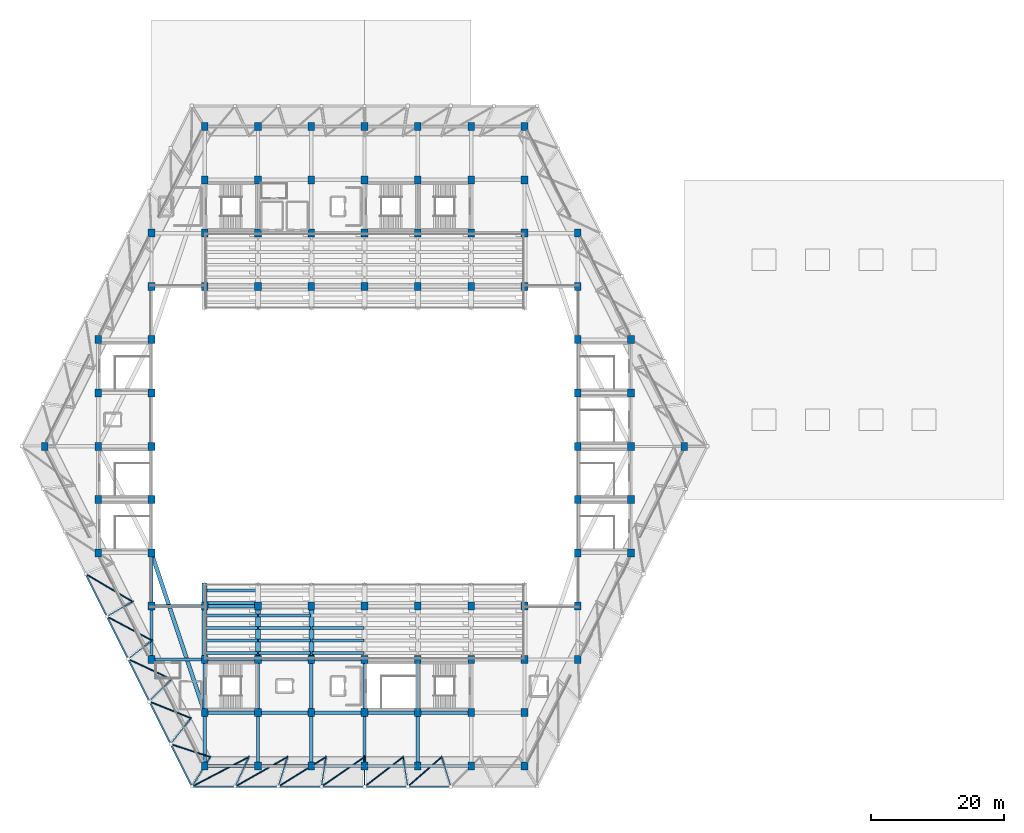
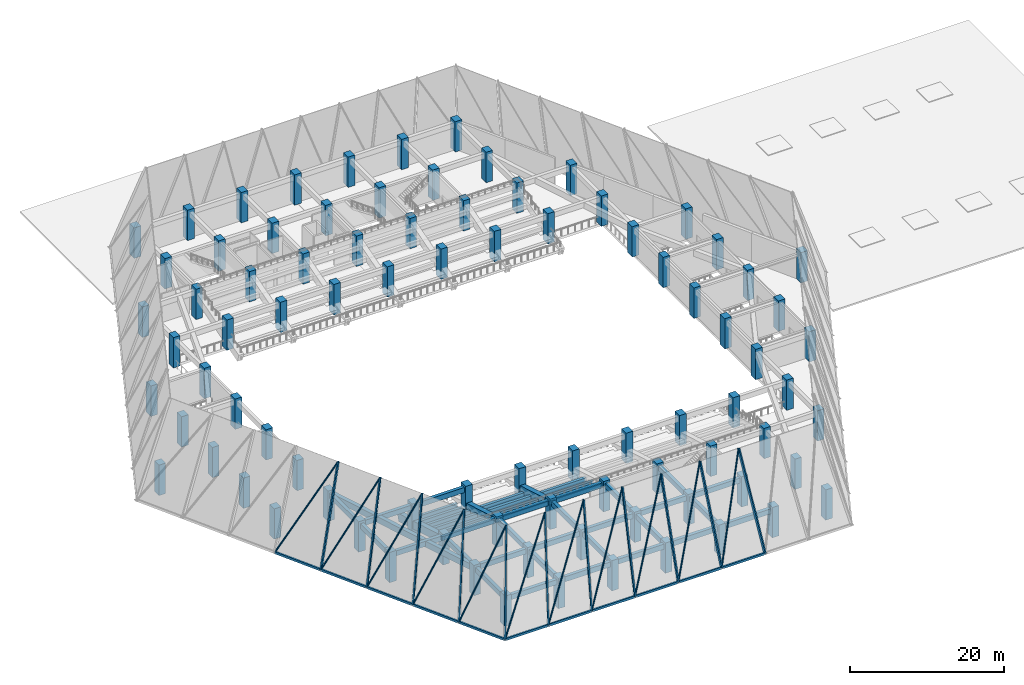
# One storey, part 1 of 24: 86 columns, 46 beams, 33 members.
"""IFC4 building model written with IfcOpenShell, lengths in metres."""

import ifcopenshell
import ifcopenshell.guid

model = None  # the IFC model being written
_history = None  # IfcOwnerHistory: only IFC2X3 demands one
_inside = {}  # id of a spatial element -> (the spatial element, [elements in it])
_under = {}  # id of a project, library or spatial element -> (it, [spatial elements below it])
_declared = {}  # id of a project -> (the project, [libraries it declares])
_typed = {}  # id of a type object -> (the type object, [elements of that type])
_made_of = {}  # id of a material, layer set ... -> (it, [elements and type objects made of it])


def new_model(schema):
    """Start an empty IFC model of exactly this schema.

    Asked for "IFC4X3", IfcOpenShell would pick the latest addendum, in which some entities
    have other attributes; the version numbers below select the first issue.
    IFC2X3 requires an IfcOwnerHistory on every rooted entity: one is made here for all.
    """
    global model, _history
    if schema == "IFC4X3":
        model = ifcopenshell.file(schema_version=(4, 3, 0, 0))
    else:
        model = ifcopenshell.file(schema=schema)
    _inside.clear()
    _under.clear()
    _declared.clear()
    _typed.clear()
    _made_of.clear()
    _history = None
    if model.schema == "IFC2X3":
        org = make("IfcOrganization", Name="unknown")
        user = make(
            "IfcPersonAndOrganization",
            ThePerson=make("IfcPerson", FamilyName="unknown"),
            TheOrganization=org,
        )
        app = make(
            "IfcApplication",
            ApplicationDeveloper=org,
            Version="unknown",
            ApplicationFullName="unknown",
            ApplicationIdentifier="unknown",
        )
        _history = make(
            "IfcOwnerHistory",
            OwningUser=user,
            OwningApplication=app,
            ChangeAction="ADDED",
            CreationDate=0,
        )
    return model


def make(cls, **values):
    """One entity of the class cls with the attributes given. An attribute that is None is left unset."""
    return model.create_entity(
        cls, **{name: value for name, value in values.items() if value is not None}
    )


def rooted(cls, **values):
    """An entity with a GlobalId (a new one), such as an element, a storey or a relation."""
    return make(cls, GlobalId=ifcopenshell.guid.new(), OwnerHistory=_history, **values)


def si_unit(unit_type, name, prefix=None):
    """IfcSIUnit, for example si_unit("LENGTHUNIT", "METRE", prefix="MILLI")."""
    return make("IfcSIUnit", UnitType=unit_type, Prefix=prefix, Name=name)


def assignment(units):
    """IfcUnitAssignment: the units of a project."""
    return None if units is None else make("IfcUnitAssignment", Units=units)


def point(xyz):
    """IfcCartesianPoint."""
    return None if xyz is None else make("IfcCartesianPoint", Coordinates=xyz)


def direction(xyz):
    """IfcDirection."""
    return None if xyz is None else make("IfcDirection", DirectionRatios=xyz)


def frame(location, z_axis=None, x_axis=None):
    """IfcAxis2Placement3D, a coordinate frame: its origin and axes. An axis left out is left unset."""
    return make(
        "IfcAxis2Placement3D",
        Location=point(location),
        Axis=direction(z_axis),
        RefDirection=direction(x_axis),
    )


def frame_2d(location, x_axis=None):
    """IfcAxis2Placement2D, a coordinate frame in the plane: its origin and x axis."""
    return make(
        "IfcAxis2Placement2D", Location=point(location), RefDirection=direction(x_axis)
    )


def origin():
    """The frame at (0, 0, 0) with its axes left unset."""
    return frame((0.0, 0.0, 0.0))


def origin_2d():
    """The frame at (0, 0) in the plane with its x axis left unset."""
    return frame_2d((0.0, 0.0))


def place(relative_to, where):
    """IfcLocalPlacement: puts the frame where relative to a parent placement (None: the world)."""
    return make(
        "IfcLocalPlacement", PlacementRelTo=relative_to, RelativePlacement=where
    )


def context(
    kind, dimensions, precision=None, world=None, true_north=None, identifier=None
):
    """IfcGeometricRepresentationContext, for example the 3D "Model" context."""
    return make(
        "IfcGeometricRepresentationContext",
        ContextIdentifier=identifier,
        ContextType=kind,
        CoordinateSpaceDimension=dimensions,
        Precision=precision,
        WorldCoordinateSystem=world,
        TrueNorth=true_north,
    )


def subcontext(parent, identifier, kind, view, scale=None):
    """IfcGeometricRepresentationSubContext, for example "Body" below "Model"."""
    return make(
        "IfcGeometricRepresentationSubContext",
        ContextIdentifier=identifier,
        ContextType=kind,
        ParentContext=parent,
        TargetScale=scale,
        TargetView=view,
    )


def project(units=None, contexts=None):
    """IfcProject with its units and contexts."""
    return rooted(
        "IfcProject",
        Name="project",
        RepresentationContexts=contexts,
        UnitsInContext=assignment(units),
    )


def spatial(cls, under=None, at=None, **own):
    """A site, building, storey or space (cls), placed at a placement, below another one or the project."""
    s = rooted(cls, ObjectPlacement=at, **own)
    if under is not None:
        _under.setdefault(under.id(), (under, []))[1].append(s)
    return s


def profile(cls, at=None, kind="AREA", **sizes):
    """A parametric profile (cls). Its sizes go by their IFC names, for example OverallWidth=200.0."""
    return make(cls, ProfileType=kind, Position=at, **sizes)


def rectangle(**sizes):
    """IfcRectangleProfileDef."""
    return profile("IfcRectangleProfileDef", **sizes)


def hollow_rectangle(**sizes):
    """IfcRectangleHollowProfileDef."""
    return profile("IfcRectangleHollowProfileDef", **sizes)


def hollow_circle(**sizes):
    """IfcCircleHollowProfileDef."""
    return profile("IfcCircleHollowProfileDef", **sizes)


def extrude(swept, where, along, depth):
    """IfcExtrudedAreaSolid: the profile swept, set in the frame where, extruded along a direction by depth."""
    return make(
        "IfcExtrudedAreaSolid",
        SweptArea=swept,
        Position=where,
        ExtrudedDirection=direction(along),
        Depth=depth,
    )


def shape(context_of_items, identifier, shape_type, items):
    """IfcShapeRepresentation: the items that make up one representation, for example the "Body"."""
    return make(
        "IfcShapeRepresentation",
        ContextOfItems=context_of_items,
        RepresentationIdentifier=identifier,
        RepresentationType=shape_type,
        Items=items,
    )


def material(Name=None, Category=None):
    """IfcMaterial."""
    return make("IfcMaterial", Name=Name, Category=Category)


def material_profile(
    of_material, cross_section, Name=None, Category=None, Priority=None
):
    """IfcMaterialProfile: a cross section and its material."""
    return make(
        "IfcMaterialProfile",
        Name=Name,
        Material=of_material,
        Profile=cross_section,
        Priority=Priority,
        Category=Category,
    )


def profile_set(profiles, Name=None, composite=None):
    """IfcMaterialProfileSet."""
    return make(
        "IfcMaterialProfileSet",
        Name=Name,
        MaterialProfiles=profiles,
        CompositeProfile=composite,
    )


def made_of(thing, what):
    """Note that an element or type object is made of a material, layer set ...; save() writes the relation."""
    if what is not None:
        _made_of.setdefault(what.id(), (what, []))[1].append(thing)
    return thing


def type_object(cls, material=None, **own):
    """A type object (cls), such as IfcWallType, which elements share."""
    return made_of(rooted(cls, **own), material)


def element(
    cls,
    number,
    at=None,
    inside=None,
    cuts=None,
    type_object=None,
    material=None,
    context=None,
    identifier="Body",
    shape_type=None,
    held_by="IfcProductDefinitionShape",
    body=None,
    shapes=None,
    **own,
):
    """One element of the class cls, such as IfcWall. Its Tag is "e" and its number.

    at: its placement. inside: the storey or other place that contains it. cuts: it is an
    opening in that element (IfcRelVoidsElement). A single representation is given by context,
    identifier, shape_type and body (its items); several are given by shapes. held_by: the class
    of the entity that holds the representations. save() writes the other relations.
    """
    e = rooted(cls, Tag="e%d" % number, ObjectPlacement=at, **own)
    if body is not None:
        shapes = [shape(context, identifier, shape_type, body)]
    if shapes is not None:
        e.Representation = make(held_by, Representations=shapes)
    if inside is not None:
        _inside.setdefault(inside.id(), (inside, []))[1].append(e)
    if cuts is not None:
        rooted(
            "IfcRelVoidsElement", RelatingBuildingElement=cuts, RelatedOpeningElement=e
        )
    if type_object is not None:
        _typed.setdefault(type_object.id(), (type_object, []))[1].append(e)
    return made_of(e, material)


def aggregate(whole, parts):
    """IfcRelAggregates: a whole, such as a stair, and the parts it consists of."""
    return rooted("IfcRelAggregates", RelatingObject=whole, RelatedObjects=parts)


def save(model, path):
    """Write the relations noted so far, then the file.

    IfcRelAggregates (storeys below a building ...), IfcRelContainedInSpatialStructure (elements
    in a storey), IfcRelDefinesByType, IfcRelAssociatesMaterial and IfcRelDeclares: one each for
    every whole, place, type object, material and project.
    """
    for whole, parts in _under.values():
        aggregate(whole, parts)
    for where, things in _inside.values():
        rooted(
            "IfcRelContainedInSpatialStructure",
            RelatedElements=things,
            RelatingStructure=where,
        )
    for kind, things in _typed.values():
        rooted("IfcRelDefinesByType", RelatedObjects=things, RelatingType=kind)
    for what, things in _made_of.values():
        rooted("IfcRelAssociatesMaterial", RelatedObjects=things, RelatingMaterial=what)
    for by, libraries in _declared.values():
        rooted("IfcRelDeclares", RelatingContext=by, RelatedDefinitions=libraries)
    model.write(path)


model = new_model("IFC4")

# Units and contexts
model_context = context("Model", 3, precision=1e-05, world=origin(), true_north=direction((0.0, 1.0)))
body_context = subcontext(model_context, "Body", "Model", "MODEL_VIEW")
ifc_project = project(units=[si_unit("LENGTHUNIT", "METRE"), si_unit("AREAUNIT", "SQUARE_METRE"), si_unit("VOLUMEUNIT", "CUBIC_METRE"), si_unit("PLANEANGLEUNIT", "RADIAN"), si_unit("MASSUNIT", "GRAM", prefix="KILO")], contexts=[model_context])

# Site, building, storey
site_placement = place(None, origin())
site = spatial("IfcSite", under=ifc_project, at=site_placement, CompositionType="ELEMENT")
building_placement = place(site_placement, origin())
building = spatial("IfcBuilding", under=site, at=building_placement, Name="Tazarka Park Arena", CompositionType="ELEMENT")
storey_placement = place(building_placement, frame((0.0, 0.0, 15.0)))
storey = spatial("IfcBuildingStorey", under=building, at=storey_placement, Name="L03", CompositionType="ELEMENT", Elevation=15.0)

# Columns
ifc_material_1 = material(Name="Concrete C50/60", Category="concrete")
ifc_material_profile_1 = material_profile(ifc_material_1, rectangle(XDim=1.0, YDim=1.199951171875, at=origin_2d()), Name="Concrete C50/60")
ifc_profile_set_1 = profile_set([ifc_material_profile_1], Name="Concrete C50/60")
column_type_1 = type_object("IfcColumnType", Name="COL-C-04", PredefinedType="COLUMN", material=ifc_profile_set_1)
for number, where, z_axis, x_axis, name in (
    (1, (48.0, 64.0, 0.0), (0.0, 0.0, 1.0), (1.0, 0.0, 0.0), "CLM-L03-06-08"),
    (2, (64.0, 32.0, 0.0), (0.0, 0.0, 1.0), (1.0, 0.0, 0.0), "CLM-L03-08-04"),
    (3, (64.0, 96.0, 0.0), (0.0, 0.0, 1.0), (1.0, 0.0, 0.0), "CLM-L03-08-12"),
    (4, (72.0, 24.0, 0.0), (0.0, 0.0, 1.0), (1.0, 0.0, 0.0), "CLM-L03-09-03"),
    (5, (72.0, 32.0, 0.0), (0.0, 0.0, 1.0), (1.0, 0.0, 0.0), "CLM-L03-09-04"),
    (6, (72.0, 96.0, 0.0), (0.0, 0.0, 1.0), (1.0, 0.0, 0.0), "CLM-L03-09-12"),
    (7, (72.0, 104.0, 0.0), (0.0, 0.0, 1.0), (1.0, 0.0, 0.0), "CLM-L03-09-13"),
    (8, (80.0, 24.0, 0.0), (0.0, 0.0, 1.0), (1.0, 0.0, 0.0), "CLM-L03-10-03"),
    (9, (80.0, 32.0, 0.0), (0.0, 0.0, 1.0), (1.0, 0.0, 0.0), "CLM-L03-10-04"),
    (10, (80.0, 96.0, 0.0), (0.0, 0.0, 1.0), (1.0, 0.0, 0.0), "CLM-L03-10-12"),
    (11, (80.0, 104.0, 0.0), (0.0, 0.0, 1.0), (1.0, 0.0, 0.0), "CLM-L03-10-13"),
    (12, (88.0, 24.0, 0.0), (0.0, 0.0, 1.0), (1.0, 0.0, 0.0), "CLM-L03-11-03"),
    (13, (88.0, 32.0, 0.0), (0.0, 0.0, 1.0), (1.0, 0.0, 0.0), "CLM-L03-11-04"),
    (14, (88.0, 96.0, 0.0), (0.0, 0.0, 1.0), (1.0, 0.0, 0.0), "CLM-L03-11-12"),
    (15, (88.0, 104.0, 0.0), (0.0, 0.0, 1.0), (1.0, 0.0, 0.0), "CLM-L03-11-13"),
    (16, (96.0, 24.0, 0.0), (0.0, 0.0, 1.0), (1.0, 0.0, 0.0), "CLM-L03-12-03"),
    (17, (96.0, 32.0, 0.0), (0.0, 0.0, 1.0), (1.0, 0.0, 0.0), "CLM-L03-12-04"),
    (18, (96.0, 96.0, 0.0), (0.0, 0.0, 1.0), (1.0, 0.0, 0.0), "CLM-L03-12-12"),
    (19, (96.0, 104.0, 0.0), (0.0, 0.0, 1.0), (1.0, 0.0, 0.0), "CLM-L03-12-13"),
    (20, (104.0, 24.0, 0.0), (0.0, 0.0, 1.0), (1.0, 0.0, 0.0), "CLM-L03-13-03"),
    (21, (104.0, 32.0, 0.0), (0.0, 0.0, 1.0), (1.0, 0.0, 0.0), "CLM-L03-13-04"),
    (22, (104.0, 96.0, 0.0), (0.0, 0.0, 1.0), (1.0, 0.0, 0.0), "CLM-L03-13-12"),
    (23, (104.0, 104.0, 0.0), (0.0, 0.0, 1.0), (1.0, 0.0, 0.0), "CLM-L03-13-13"),
    (24, (112.0, 32.0, 0.0), (0.0, 0.0, 1.0), (1.0, 0.0, 0.0), "CLM-L03-14-04"),
    (25, (112.0, 96.0, 0.0), (0.0, 0.0, 1.0), (1.0, 0.0, 0.0), "CLM-L03-14-12"),
    (26, (128.0, 64.0, 0.0), (0.0, 0.0, 1.0), (1.0, 0.0, 0.0), "CLM-L03-16-08"),
):
    element("IfcColumn", number, at=place(storey_placement, frame(where, z_axis=z_axis, x_axis=x_axis)), inside=storey, type_object=column_type_1, Name=name, PredefinedType="COLUMN", context=body_context, shape_type="SweptSolid", body=[
        extrude(rectangle(XDim=1.0, YDim=1.199951171875, at=origin_2d()), origin(), (0.0, 0.0, 1.0), 4.800048828125),
    ])
ifc_material_2 = material(Name="Concrete C50/60", Category="concrete")
ifc_material_profile_2 = material_profile(ifc_material_2, rectangle(XDim=1.0, YDim=1.199951171875, at=origin_2d()), Name="Concrete C50/60")
ifc_profile_set_2 = profile_set([ifc_material_profile_2], Name="Concrete C50/60")
column_type_2 = type_object("IfcColumnType", Name="COL-C-07", PredefinedType="COLUMN", material=ifc_profile_set_2)
for number, where, z_axis, x_axis, name in (
    (27, (40.0, 64.0, 0.0), (0.0, 0.0, 1.0), (1.0, 0.0, 0.0), "CLM-L03-05-08"),
    (28, (48.0, 48.0, 0.0), (0.0, 0.0, 1.0), (1.0, 0.0, 0.0), "CLM-L03-06-06"),
    (29, (48.0, 56.0, 0.0), (0.0, 0.0, 1.0), (1.0, 0.0, 0.0), "CLM-L03-06-07"),
    (30, (48.0, 72.0, 0.0), (0.0, 0.0, 1.0), (1.0, 0.0, 0.0), "CLM-L03-06-09"),
    (31, (48.0, 80.0, 0.0), (0.0, 0.0, 1.0), (1.0, 0.0, 0.0), "CLM-L03-06-10"),
    (32, (56.0, 32.0, 0.0), (0.0, 0.0, 1.0), (1.0, 0.0, 0.0), "CLM-L03-07-04"),
    (33, (56.0, 40.0, 0.0), (0.0, 0.0, 1.0), (1.0, 0.0, 0.0), "CLM-L03-07-05"),
    (34, (56.0, 48.0, 0.0), (0.0, 0.0, 1.0), (1.0, 0.0, 0.0), "CLM-L03-07-06"),
    (35, (56.0, 56.0, 0.0), (0.0, 0.0, 1.0), (1.0, 0.0, 0.0), "CLM-L03-07-07"),
    (36, (56.0, 64.0, 0.0), (0.0, 0.0, 1.0), (1.0, 0.0, 0.0), "CLM-L03-07-08"),
    (37, (56.0, 72.0, 0.0), (0.0, 0.0, 1.0), (1.0, 0.0, 0.0), "CLM-L03-07-09"),
    (38, (56.0, 80.0, 0.0), (0.0, 0.0, 1.0), (1.0, 0.0, 0.0), "CLM-L03-07-10"),
    (39, (56.0, 88.0, 0.0), (0.0, 0.0, 1.0), (1.0, 0.0, 0.0), "CLM-L03-07-11"),
    (40, (56.0, 96.0, 0.0), (0.0, 0.0, 1.0), (1.0, 0.0, 0.0), "CLM-L03-07-12"),
    (41, (64.0, 16.0, 0.0), (0.0, 0.0, 1.0), (1.0, 0.0, 0.0), "CLM-L03-08-02"),
    (42, (64.0, 24.0, 0.0), (0.0, 0.0, 1.0), (1.0, 0.0, 0.0), "CLM-L03-08-03"),
    (43, (64.0, 40.0, 0.0), (0.0, 0.0, 1.0), (1.0, 0.0, 0.0), "CLM-L03-08-05"),
    (44, (64.0, 88.0, 0.0), (0.0, 0.0, 1.0), (1.0, 0.0, 0.0), "CLM-L03-08-11"),
    (45, (64.0, 104.0, 0.0), (0.0, 0.0, 1.0), (1.0, 0.0, 0.0), "CLM-L03-08-13"),
    (46, (64.0, 112.0, 0.0), (0.0, 0.0, 1.0), (1.0, 0.0, 0.0), "CLM-L03-08-14"),
    (47, (72.0, 16.0, 0.0), (0.0, 0.0, 1.0), (1.0, 0.0, 0.0), "CLM-L03-09-02"),
    (48, (72.0, 40.0, 0.0), (0.0, 0.0, 1.0), (1.0, 0.0, 0.0), "CLM-L03-09-05"),
    (49, (72.0, 88.0, 0.0), (0.0, 0.0, 1.0), (1.0, 0.0, 0.0), "CLM-L03-09-11"),
    (50, (72.0, 112.0, 0.0), (0.0, 0.0, 1.0), (1.0, 0.0, 0.0), "CLM-L03-09-14"),
    (51, (80.0, 16.0, 0.0), (0.0, 0.0, 1.0), (1.0, 0.0, 0.0), "CLM-L03-10-02"),
    (52, (80.0, 40.0, 0.0), (0.0, 0.0, 1.0), (1.0, 0.0, 0.0), "CLM-L03-10-05"),
    (53, (80.0, 88.0, 0.0), (0.0, 0.0, 1.0), (1.0, 0.0, 0.0), "CLM-L03-10-11"),
    (54, (80.0, 112.0, 0.0), (0.0, 0.0, 1.0), (1.0, 0.0, 0.0), "CLM-L03-10-14"),
    (55, (88.0, 16.0, 0.0), (0.0, 0.0, 1.0), (1.0, 0.0, 0.0), "CLM-L03-11-02"),
    (56, (88.0, 40.0, 0.0), (0.0, 0.0, 1.0), (1.0, 0.0, 0.0), "CLM-L03-11-05"),
    (57, (88.0, 88.0, 0.0), (0.0, 0.0, 1.0), (1.0, 0.0, 0.0), "CLM-L03-11-11"),
    (58, (88.0, 112.0, 0.0), (0.0, 0.0, 1.0), (1.0, 0.0, 0.0), "CLM-L03-11-14"),
    (59, (96.0, 16.0, 0.0), (0.0, 0.0, 1.0), (1.0, 0.0, 0.0), "CLM-L03-12-02"),
    (60, (96.0, 40.0, 0.0), (0.0, 0.0, 1.0), (1.0, 0.0, 0.0), "CLM-L03-12-05"),
    (61, (96.0, 88.0, 0.0), (0.0, 0.0, 1.0), (1.0, 0.0, 0.0), "CLM-L03-12-11"),
    (62, (96.0, 112.0, 0.0), (0.0, 0.0, 1.0), (1.0, 0.0, 0.0), "CLM-L03-12-14"),
    (63, (104.0, 16.0, 0.0), (0.0, 0.0, 1.0), (1.0, 0.0, 0.0), "CLM-L03-13-02"),
    (64, (104.0, 40.0, 0.0), (0.0, 0.0, 1.0), (1.0, 0.0, 0.0), "CLM-L03-13-05"),
    (65, (104.0, 88.0, 0.0), (0.0, 0.0, 1.0), (1.0, 0.0, 0.0), "CLM-L03-13-11"),
    (66, (104.0, 112.0, 0.0), (0.0, 0.0, 1.0), (1.0, 0.0, 0.0), "CLM-L03-13-14"),
    (67, (112.0, 16.0, 0.0), (0.0, 0.0, 1.0), (1.0, 0.0, 0.0), "CLM-L03-14-02"),
    (68, (112.0, 24.0, 0.0), (0.0, 0.0, 1.0), (1.0, 0.0, 0.0), "CLM-L03-14-03"),
    (69, (112.0, 40.0, 0.0), (0.0, 0.0, 1.0), (1.0, 0.0, 0.0), "CLM-L03-14-05"),
    (70, (112.0, 88.0, 0.0), (0.0, 0.0, 1.0), (1.0, 0.0, 0.0), "CLM-L03-14-11"),
    (71, (112.0, 104.0, 0.0), (0.0, 0.0, 1.0), (1.0, 0.0, 0.0), "CLM-L03-14-13"),
    (72, (112.0, 112.0, 0.0), (0.0, 0.0, 1.0), (1.0, 0.0, 0.0), "CLM-L03-14-14"),
    (73, (120.0, 32.0, 0.0), (0.0, 0.0, 1.0), (1.0, 0.0, 0.0), "CLM-L03-15-04"),
    (74, (120.0, 40.0, 0.0), (0.0, 0.0, 1.0), (1.0, 0.0, 0.0), "CLM-L03-15-05"),
    (75, (120.0, 48.0, 0.0), (0.0, 0.0, 1.0), (1.0, 0.0, 0.0), "CLM-L03-15-06"),
    (76, (120.0, 56.0, 0.0), (0.0, 0.0, 1.0), (1.0, 0.0, 0.0), "CLM-L03-15-07"),
    (77, (120.0, 64.0, 0.0), (0.0, 0.0, 1.0), (1.0, 0.0, 0.0), "CLM-L03-15-08"),
    (78, (120.0, 72.0, 0.0), (0.0, 0.0, 1.0), (1.0, 0.0, 0.0), "CLM-L03-15-09"),
    (79, (120.0, 80.0, 0.0), (0.0, 0.0, 1.0), (1.0, 0.0, 0.0), "CLM-L03-15-10"),
    (80, (120.0, 88.0, 0.0), (0.0, 0.0, 1.0), (1.0, 0.0, 0.0), "CLM-L03-15-11"),
    (81, (120.0, 96.0, 0.0), (0.0, 0.0, 1.0), (1.0, 0.0, 0.0), "CLM-L03-15-12"),
    (82, (128.0, 48.0, 0.0), (0.0, 0.0, 1.0), (1.0, 0.0, 0.0), "CLM-L03-16-06"),
    (83, (128.0, 56.0, 0.0), (0.0, 0.0, 1.0), (1.0, 0.0, 0.0), "CLM-L03-16-07"),
    (84, (128.0, 72.0, 0.0), (0.0, 0.0, 1.0), (1.0, 0.0, 0.0), "CLM-L03-16-09"),
    (85, (128.0, 80.0, 0.0), (0.0, 0.0, 1.0), (1.0, 0.0, 0.0), "CLM-L03-16-10"),
    (86, (136.0, 64.0, 0.0), (0.0, 0.0, 1.0), (1.0, 0.0, 0.0), "CLM-L03-17-08"),
):
    element("IfcColumn", number, at=place(storey_placement, frame(where, z_axis=z_axis, x_axis=x_axis)), inside=storey, type_object=column_type_2, Name=name, PredefinedType="COLUMN", context=body_context, shape_type="SweptSolid", body=[
        extrude(rectangle(XDim=1.0, YDim=1.199951171875, at=origin_2d()), origin(), (0.0, 0.0, 1.0), 4.800048828125),
    ])

# Beams
ifc_material_3 = material(Name="Concrete C40/50", Category="concrete")
ifc_material_profile_3 = material_profile(ifc_material_3, rectangle(XDim=0.5, YDim=0.800048828125, at=origin_2d()), Name="Concrete C40/50")
ifc_profile_set_3 = profile_set([ifc_material_profile_3], Name="Concrete C40/50")
beam_type_1 = type_object("IfcBeamType", Name="BM-B-02", PredefinedType="BEAM", material=ifc_profile_set_3)
for number, where, z_axis, x_axis, name in (
    (87, (56.1201171875, 40.0, 4.02001953125), (1.0, 0.0, 0.0), (0.0, 1.0, 0.0), "GXM-L03-07-05"),
    (88, (64.1201171875, 24.0, 4.02001953125), (1.0, 0.0, 0.0), (0.0, 1.0, 0.0), "GXM-L03-08-03"),
    (89, (64.1201171875, 32.0, 4.02001953125), (1.0, 0.0, 0.0), (0.0, 1.0, 0.0), "GXM-L03-08-04"),
    (90, (72.0, 16.1201171875, 4.02001953125), (0.0, 1.0, 0.0), (-1.0, 0.0, 0.0), "GYM-L03-09-02"),
    (91, (72.1201171875, 24.0, 4.02001953125), (1.0, 0.0, 0.0), (0.0, 1.0, 0.0), "GXM-L03-09-03"),
    (92, (72.0, 24.1201171875, 4.02001953125), (0.0, 1.0, 0.0), (-1.0, 0.0, 0.0), "GYM-L03-09-03"),
    (93, (72.1201171875, 32.0, 4.02001953125), (1.0, 0.0, 0.0), (0.0, 1.0, 0.0), "GXM-L03-09-04"),
    (94, (80.0, 16.1201171875, 4.02001953125), (0.0, 1.0, 0.0), (-1.0, 0.0, 0.0), "GYM-L03-10-02"),
    (95, (80.1201171875, 24.0, 4.02001953125), (1.0, 0.0, 0.0), (0.0, 1.0, 0.0), "GXM-L03-10-03"),
    (96, (80.0, 24.1201171875, 4.02001953125), (0.0, 1.0, 0.0), (-1.0, 0.0, 0.0), "GYM-L03-10-03"),
    (97, (80.1201171875, 32.0, 4.02001953125), (1.0, 0.0, 0.0), (0.0, 1.0, 0.0), "GXM-L03-10-04"),
    (98, (88.0, 16.1201171875, 4.02001953125), (0.0, 1.0, 0.0), (-1.0, 0.0, 0.0), "GYM-L03-11-02"),
    (99, (88.1201171875, 24.0, 4.02001953125), (1.0, 0.0, 0.0), (0.0, 1.0, 0.0), "GXM-L03-11-03"),
    (100, (88.0, 24.1201171875, 4.02001953125), (0.0, 1.0, 0.0), (-1.0, 0.0, 0.0), "GYM-L03-11-03"),
    (101, (96.0, 16.1201171875, 4.02001953125), (0.0, 1.0, 0.0), (-1.0, 0.0, 0.0), "GYM-L03-12-02"),
    (102, (96.1201171875, 24.0, 4.02001953125), (1.0, 0.0, 0.0), (0.0, 1.0, 0.0), "GXM-L03-12-03"),
    (103, (96.0, 24.1201171875, 4.02001953125), (0.0, 1.0, 0.0), (-1.0, 0.0, 0.0), "GYM-L03-12-03"),
):
    element("IfcBeam", number, at=place(storey_placement, frame(where, z_axis=z_axis, x_axis=x_axis)), inside=storey, type_object=beam_type_1, Name=name, PredefinedType="BEAM", context=body_context, shape_type="SweptSolid", body=[
        extrude(rectangle(XDim=0.5, YDim=0.800048828125, at=origin_2d()), origin(), (0.0, 0.0, 1.0), 7.759765625),
    ])
ifc_material_4 = material(Name="Precast concrete C40/50", Category="concrete")
ifc_material_profile_4 = material_profile(ifc_material_4, rectangle(XDim=0.75, YDim=1.199951171875, at=origin_2d()), Name="Precast concrete C40/50")
ifc_profile_set_4 = profile_set([ifc_material_profile_4], Name="Precast concrete C40/50")
beam_type_2 = type_object("IfcBeamType", Name="BM-RK-02", PredefinedType="BEAM", material=ifc_profile_set_4)
beam_1_placement = place(storey_placement, frame((64.0, 40.0, 1.300048828125), z_axis=(0.0, -0.959465685015, 0.281825476632), x_axis=(1.0, 0.0, 0.0)))
element("IfcBeam", 104, at=beam_1_placement, inside=storey, type_object=beam_type_2, Name="RAKER RK-02-01B", PredefinedType="BEAM", context=body_context, shape_type="SweptSolid", body=[
    extrude(rectangle(XDim=0.75, YDim=1.199951171875, at=origin_2d()), origin(), (0.0, 0.0, 1.0), 8.337890625),
])
beam_2_placement = place(storey_placement, frame((64.0, 43.300048828125, 0.33056640625), z_axis=(0.0, -0.959453616174, 0.281866561354), x_axis=(1.0, 0.0, 0.0)))
element("IfcBeam", 105, at=beam_2_placement, inside=storey, type_object=beam_type_2, Name="RAKER RK-02-01C", PredefinedType="BEAM", context=body_context, shape_type="SweptSolid", body=[
    extrude(rectangle(XDim=0.75, YDim=1.199951171875, at=origin_2d()), origin(), (0.0, 0.0, 1.0), 3.439453125),
])
for number, where, z_axis, x_axis, name in (
    (106, (72.0, 40.0, 1.300048828125), (0.0, -0.959465685015, 0.281825476632), (1.0, 0.0, 0.0), "RAKER RK-02-02B"),
    (107, (80.0, 40.0, 1.300048828125), (0.0, -0.959465685015, 0.281825476632), (1.0, 0.0, 0.0), "RAKER RK-02-03B"),
):
    element("IfcBeam", number, at=place(storey_placement, frame(where, z_axis=z_axis, x_axis=x_axis)), inside=storey, type_object=beam_type_2, Name=name, PredefinedType="BEAM", context=body_context, shape_type="SweptSolid", body=[
        extrude(rectangle(XDim=0.75, YDim=1.199951171875, at=origin_2d()), origin(), (0.0, 0.0, 1.0), 8.337890625),
    ])
ifc_material_5 = material(Name="Concrete C40/50", Category="concrete")
ifc_material_profile_5 = material_profile(ifc_material_5, rectangle(XDim=0.5, YDim=0.800048828125, at=origin_2d()), Name="Concrete C40/50")
ifc_profile_set_5 = profile_set([ifc_material_profile_5], Name="Concrete C40/50")
beam_type_3 = type_object("IfcBeamType", Name="BM-SP-01", PredefinedType="SPANDREL", material=ifc_profile_set_5)
for number, where, z_axis, x_axis, name in (
    (108, (56.1201171875, 32.0, 4.02001953125), (1.0, 0.0, 0.0), (0.0, 1.0, 0.0), "GXM-L03-07-04"),
    (109, (56.0, 32.1201171875, 4.02001953125), (0.0, 1.0, 0.0), (-1.0, 0.0, 0.0), "GYM-L03-07-04"),
    (110, (56.0, 40.1201171875, 4.02001953125), (0.0, 1.0, 0.0), (-1.0, 0.0, 0.0), "GYM-L03-07-05"),
    (111, (64.1201171875, 16.0, 4.02001953125), (1.0, 0.0, 0.0), (0.0, 1.0, 0.0), "GXM-L03-08-02"),
    (112, (64.0, 16.1201171875, 4.02001953125), (0.0, 1.0, 0.0), (-1.0, 0.0, 0.0), "GYM-L03-08-02"),
    (113, (64.0, 24.1201171875, 4.02001953125), (0.0, 1.0, 0.0), (-1.0, 0.0, 0.0), "GYM-L03-08-03"),
    (114, (64.1201171875, 40.0, 4.02001953125), (1.0, 0.0, 0.0), (0.0, 1.0, 0.0), "GXM-L03-08-05"),
    (115, (72.1201171875, 16.0, 4.02001953125), (1.0, 0.0, 0.0), (0.0, 1.0, 0.0), "GXM-L03-09-02"),
    (116, (80.1201171875, 16.0, 4.02001953125), (1.0, 0.0, 0.0), (0.0, 1.0, 0.0), "GXM-L03-10-02"),
    (117, (88.1201171875, 16.0, 4.02001953125), (1.0, 0.0, 0.0), (0.0, 1.0, 0.0), "GXM-L03-11-02"),
    (118, (96.1201171875, 16.0, 4.02001953125), (1.0, 0.0, 0.0), (0.0, 1.0, 0.0), "GXM-L03-12-02"),
):
    element("IfcBeam", number, at=place(storey_placement, frame(where, z_axis=z_axis, x_axis=x_axis)), inside=storey, type_object=beam_type_3, Name=name, PredefinedType="SPANDREL", context=body_context, shape_type="SweptSolid", body=[
        extrude(rectangle(XDim=0.5, YDim=0.800048828125, at=origin_2d()), origin(), (0.0, 0.0, 1.0), 7.759765625),
    ])
ifc_material_6 = material(Name="Concrete C40/50", Category="concrete")
ifc_material_profile_6 = material_profile(ifc_material_6, rectangle(XDim=0.60009765625, YDim=0.949951171875, at=origin_2d()), Name="Concrete C40/50")
ifc_profile_set_6 = profile_set([ifc_material_profile_6], Name="Concrete C40/50")
beam_type_4 = type_object("IfcBeamType", Name="BM-SP-03", PredefinedType="SPANDREL", material=ifc_profile_set_6)
beam_3_placement = place(storey_placement, frame((56.037841796875, 47.88623046875, 3.945068359375), z_axis=(0.316233611724, -0.948681349461, 0.0), x_axis=(0.948681349461, 0.316233611724, 0.0)))
element("IfcBeam", 119, at=beam_3_placement, inside=storey, type_object=beam_type_4, Name="RING BEAM SP-03-L03-20", PredefinedType="SPANDREL", context=body_context, shape_type="SweptSolid", body=[
    extrude(rectangle(XDim=0.60009765625, YDim=0.949951171875, at=origin_2d()), origin(), (0.0, 0.0, 1.0), 25.058349609375),
])
ifc_material_7 = material(Name="Precast concrete C40/50", Category="concrete")
ifc_material_profile_7 = material_profile(ifc_material_7, rectangle(XDim=0.39990234375, YDim=0.64990234375, at=origin_2d()), Name="Precast concrete C40/50")
ifc_profile_set_7 = profile_set([ifc_material_profile_7], Name="Precast concrete C40/50")
beam_type_5 = type_object("IfcBeamType", Name="BM-TB-01", PredefinedType="BEAM", material=ifc_profile_set_7)
for number, where, z_axis, x_axis, name in (
    (120, (64.10009765625, 42.360107421875, -0.02490234375), (1.0, 0.0, 0.0), (0.0, 1.0, 0.0), "UTB-S-08-1"),
    (121, (64.10009765625, 40.47998046875, 0.60498046875), (1.0, 0.0, 0.0), (0.0, 1.0, 0.0), "UTB-S-08-2"),
    (122, (64.10009765625, 38.60009765625, 1.235107421875), (1.0, 0.0, 0.0), (0.0, 1.0, 0.0), "UTB-S-08-3"),
    (123, (72.10009765625, 38.60009765625, 1.235107421875), (1.0, 0.0, 0.0), (0.0, 1.0, 0.0), "UTB-S-09-3"),
    (124, (64.10009765625, 36.719970703125, 1.864990234375), (1.0, 0.0, 0.0), (0.0, 1.0, 0.0), "UTB-S-08-4"),
    (125, (72.10009765625, 36.719970703125, 1.864990234375), (1.0, 0.0, 0.0), (0.0, 1.0, 0.0), "UTB-S-09-4"),
    (126, (80.10009765625, 36.719970703125, 1.864990234375), (1.0, 0.0, 0.0), (0.0, 1.0, 0.0), "UTB-S-10-4"),
    (127, (64.10009765625, 34.840087890625, 2.4951171875), (1.0, 0.0, 0.0), (0.0, 1.0, 0.0), "UTB-S-08-5"),
    (128, (72.10009765625, 34.840087890625, 2.4951171875), (1.0, 0.0, 0.0), (0.0, 1.0, 0.0), "UTB-S-09-5"),
    (129, (80.10009765625, 34.840087890625, 2.4951171875), (1.0, 0.0, 0.0), (0.0, 1.0, 0.0), "UTB-S-10-5"),
    (130, (64.10009765625, 32.9599609375, 3.135009765625), (1.0, 0.0, 0.0), (0.0, 1.0, 0.0), "UTB-S-08-6"),
    (131, (72.10009765625, 32.9599609375, 3.135009765625), (1.0, 0.0, 0.0), (0.0, 1.0, 0.0), "UTB-S-09-6"),
    (132, (80.10009765625, 32.9599609375, 3.135009765625), (1.0, 0.0, 0.0), (0.0, 1.0, 0.0), "UTB-S-10-6"),
):
    element("IfcBeam", number, at=place(storey_placement, frame(where, z_axis=z_axis, x_axis=x_axis)), inside=storey, type_object=beam_type_5, Name=name, PredefinedType="BEAM", context=body_context, shape_type="SweptSolid", body=[
        extrude(rectangle(XDim=0.39990234375, YDim=0.64990234375, at=origin_2d()), origin(), (0.0, 0.0, 1.0), 7.7998046875),
    ])

# Members
ifc_material_8 = material(Name="Steel S355", Category="steel")
ifc_material_profile_8 = material_profile(ifc_material_8, hollow_circle(Radius=0.122314453125, WallThickness=0.012451171875, at=origin_2d()), Name="Steel S355")
ifc_profile_set_8 = profile_set([ifc_material_profile_8], Name="Steel S355")
member_type_1 = type_object("IfcMemberType", Name="MEM-BR-05", PredefinedType="BRACE", material=ifc_profile_set_8)
member_1_placement = place(storey_placement, frame((62.083984375, 12.89990234375, 0.0), z_axis=(0.493554092503, 0.257186961092, 0.830818406643), x_axis=(-0.462114670895, 0.886820179599, 0.0)))
element("IfcMember", 133, at=member_1_placement, inside=storey, type_object=member_type_1, Name="FSD-00", PredefinedType="BRACE", context=body_context, shape_type="SweptSolid", body=[
    extrude(hollow_circle(Radius=0.122314453125, WallThickness=0.012451171875, at=origin_2d()), origin(), (0.0, 0.0, 1.0), 17.30810546875),
])
member_2_placement = place(storey_placement, frame((68.56298828125, 12.89990234375, 0.0), z_axis=(0.462598200779, 0.262170614037, 0.846917631043), x_axis=(-0.493057603489, 0.869996666454, 0.0)))
element("IfcMember", 134, at=member_2_placement, inside=storey, type_object=member_type_1, Name="FSD-01", PredefinedType="BRACE", context=body_context, shape_type="SweptSolid", body=[
    extrude(hollow_circle(Radius=0.122314453125, WallThickness=0.012451171875, at=origin_2d()), origin(), (0.0, 0.0, 1.0), 16.97900390625),
])
member_3_placement = place(storey_placement, frame((75.0419921875, 12.89990234375, 0.0), z_axis=(0.429865138633, 0.266998162926, 0.862512575898), x_axis=(-0.527627203214, 0.849476035229, 0.0)))
element("IfcMember", 135, at=member_3_placement, inside=storey, type_object=member_type_1, Name="FSD-02", PredefinedType="BRACE", context=body_context, shape_type="SweptSolid", body=[
    extrude(hollow_circle(Radius=0.122314453125, WallThickness=0.012451171875, at=origin_2d()), origin(), (0.0, 0.0, 1.0), 16.672119140625),
])
member_4_placement = place(storey_placement, frame((81.52099609375, 12.89990234375, 0.0), z_axis=(0.395345282227, 0.271622975765, 0.877452600918), x_axis=(-0.56627835651, 0.824214063789, 0.0)))
element("IfcMember", 136, at=member_4_placement, inside=storey, type_object=member_type_1, Name="FSD-03", PredefinedType="BRACE", context=body_context, shape_type="SweptSolid", body=[
    extrude(hollow_circle(Radius=0.122314453125, WallThickness=0.012451171875, at=origin_2d()), origin(), (0.0, 0.0, 1.0), 16.38818359375),
])
member_5_placement = place(storey_placement, frame((88.0, 12.89990234375, 0.0), z_axis=(0.359065598682, 0.275993552581, 0.891571340262), x_axis=(-0.609418353252, 0.792848832199, 0.0)))
element("IfcMember", 137, at=member_5_placement, inside=storey, type_object=member_type_1, Name="FSD-04", PredefinedType="BRACE", context=body_context, shape_type="SweptSolid", body=[
    extrude(hollow_circle(Radius=0.122314453125, WallThickness=0.012451171875, at=origin_2d()), origin(), (0.0, 0.0, 1.0), 16.128662109375),
])
member_6_placement = place(storey_placement, frame((94.47900390625, 12.89990234375, 0.0), z_axis=(0.321082523996, 0.280056336587, 0.904695783743), x_axis=(-0.657319530191, 0.753611992493, 0.0)))
element("IfcMember", 138, at=member_6_placement, inside=storey, type_object=member_type_1, Name="FSD-05", PredefinedType="BRACE", context=body_context, shape_type="SweptSolid", body=[
    extrude(hollow_circle(Radius=0.122314453125, WallThickness=0.012451171875, at=origin_2d()), origin(), (0.0, 0.0, 1.0), 15.894775390625),
])
member_7_placement = place(storey_placement, frame((46.115234375, 44.83740234375, 0.0), z_axis=(0.426448294261, -0.251452406654, 0.868857606003), x_axis=(0.507920962093, 0.861403677881, 0.0)))
element("IfcMember", 139, at=member_7_placement, inside=storey, type_object=member_type_1, Name="FSD-43", PredefinedType="BRACE", context=body_context, shape_type="SweptSolid", body=[
    extrude(hollow_circle(Radius=0.122314453125, WallThickness=0.012451171875, at=origin_2d()), origin(), (0.0, 0.0, 1.0), 16.55029296875),
])
member_8_placement = place(storey_placement, frame((49.30908203125, 38.449951171875, 0.0), z_axis=(0.415881588035, -0.221172505027, 0.882114067314), x_axis=(0.469544950553, 0.882908567979, 0.0)))
element("IfcMember", 140, at=member_8_placement, inside=storey, type_object=member_type_1, Name="FSD-44", PredefinedType="BRACE", context=body_context, shape_type="SweptSolid", body=[
    extrude(hollow_circle(Radius=0.122314453125, WallThickness=0.012451171875, at=origin_2d()), origin(), (0.0, 0.0, 1.0), 16.301513671875),
])
member_9_placement = place(storey_placement, frame((52.5029296875, 32.0625, 0.0), z_axis=(0.404478961072, -0.189700617554, 0.894656607727), x_axis=(0.424619408074, 0.90537194472, 0.0)))
element("IfcMember", 141, at=member_9_placement, inside=storey, type_object=member_type_1, Name="FSD-45", PredefinedType="BRACE", context=body_context, shape_type="SweptSolid", body=[
    extrude(hollow_circle(Radius=0.122314453125, WallThickness=0.012451171875, at=origin_2d()), origin(), (0.0, 0.0, 1.0), 16.072998046875),
])
member_10_placement = place(storey_placement, frame((55.696533203125, 25.675048828125, 0.0), z_axis=(0.39223862616, -0.157095493702, 0.906349748169), x_axis=(0.371798781375, 0.928313344818, 0.0)))
element("IfcMember", 142, at=member_10_placement, inside=storey, type_object=member_type_1, Name="FSD-46", PredefinedType="BRACE", context=body_context, shape_type="SweptSolid", body=[
    extrude(hollow_circle(Radius=0.122314453125, WallThickness=0.012451171875, at=origin_2d()), origin(), (0.0, 0.0, 1.0), 15.86572265625),
])
member_11_placement = place(storey_placement, frame((58.890380859375, 19.28759765625, 0.0), z_axis=(0.379127457306, -0.123485004677, 0.917068058945), x_axis=(0.309695248119, 0.950835870849, 0.0)))
element("IfcMember", 143, at=member_11_placement, inside=storey, type_object=member_type_1, Name="FSD-47", PredefinedType="BRACE", context=body_context, shape_type="SweptSolid", body=[
    extrude(hollow_circle(Radius=0.122314453125, WallThickness=0.012451171875, at=origin_2d()), origin(), (0.0, 0.0, 1.0), 15.68017578125),
])
ifc_material_9 = material(Name="Steel S460", Category="steel")
ifc_material_profile_9 = material_profile(ifc_material_9, hollow_rectangle(XDim=0.199951171875, YDim=0.39990234375, WallThickness=0.01611328125, at=origin_2d()), Name="Steel S460")
ifc_profile_set_9 = profile_set([ifc_material_profile_9], Name="Steel S460")
member_type_2 = type_object("IfcMemberType", Name="MEM-SR-03", PredefinedType="STRUT", material=ifc_profile_set_9)
member_12_placement = place(storey_placement, frame((62.083984375, 12.89990234375, 0.0), z_axis=(0.179789413355, 0.29089540986, 0.939710395477), x_axis=(-0.85064274872, 0.525744152653, 0.0)))
element("IfcMember", 144, at=member_12_placement, inside=storey, type_object=member_type_2, Name="FSU-00", PredefinedType="STRUT", context=body_context, shape_type="SweptSolid", body=[
    extrude(hollow_rectangle(XDim=0.199951171875, YDim=0.39990234375, WallThickness=0.01611328125, at=origin_2d()), origin(), (0.0, 0.0, 1.0), 15.302490234375),
])
member_13_placement = place(storey_placement, frame((68.56298828125, 12.89990234375, 0.0), z_axis=(0.135809694664, 0.29297422655, 0.94642581823), x_axis=(-0.907261986426, 0.420565913962, 0.0)))
element("IfcMember", 145, at=member_13_placement, inside=storey, type_object=member_type_2, Name="FSU-01", PredefinedType="STRUT", context=body_context, shape_type="SweptSolid", body=[
    extrude(hollow_rectangle(XDim=0.199951171875, YDim=0.39990234375, WallThickness=0.01611328125, at=origin_2d()), origin(), (0.0, 0.0, 1.0), 15.19384765625),
])
member_14_placement = place(storey_placement, frame((75.0419921875, 12.89990234375, 0.0), z_axis=(0.090996586121, 0.294487176915, 0.951313262783), x_axis=(-0.955427098876, 0.295227130756, 0.0)))
element("IfcMember", 146, at=member_14_placement, inside=storey, type_object=member_type_2, Name="FSU-02", PredefinedType="STRUT", context=body_context, shape_type="SweptSolid", body=[
    extrude(hollow_rectangle(XDim=0.199951171875, YDim=0.39990234375, WallThickness=0.01611328125, at=origin_2d()), origin(), (0.0, 0.0, 1.0), 15.11572265625),
])
member_15_placement = place(storey_placement, frame((81.52099609375, 12.89990234375, 0.0), z_axis=(0.045640233181, 0.295405882708, 0.954281055862), x_axis=(-0.988274370139, 0.15268847149, 0.0)))
element("IfcMember", 147, at=member_15_placement, inside=storey, type_object=member_type_2, Name="FSU-03", PredefinedType="STRUT", context=body_context, shape_type="SweptSolid", body=[
    extrude(hollow_rectangle(XDim=0.199951171875, YDim=0.39990234375, WallThickness=0.01611328125, at=origin_2d()), origin(), (0.0, 0.0, 1.0), 15.06884765625),
])
member_16_placement = place(storey_placement, frame((88.0, 12.89990234375, 0.0), z_axis=(0.0, 0.295714033997, 0.955276509759), x_axis=(-1.0, 0.0, 0.0)))
element("IfcMember", 148, at=member_16_placement, inside=storey, type_object=member_type_2, Name="FSU-04", PredefinedType="STRUT", context=body_context, shape_type="SweptSolid", body=[
    extrude(hollow_rectangle(XDim=0.199951171875, YDim=0.39990234375, WallThickness=0.01611328125, at=origin_2d()), origin(), (0.0, 0.0, 1.0), 15.05322265625),
])
member_17_placement = place(storey_placement, frame((94.47900390625, 12.89990234375, 0.0), z_axis=(-0.045640233181, 0.295405882708, 0.954281055862), x_axis=(-0.988274370139, -0.15268847149, 0.0)))
element("IfcMember", 149, at=member_17_placement, inside=storey, type_object=member_type_2, Name="FSU-05", PredefinedType="STRUT", context=body_context, shape_type="SweptSolid", body=[
    extrude(hollow_rectangle(XDim=0.199951171875, YDim=0.39990234375, WallThickness=0.01611328125, at=origin_2d()), origin(), (0.0, 0.0, 1.0), 15.06884765625),
])
member_18_placement = place(storey_placement, frame((100.9580078125, 12.89990234375, 0.0), z_axis=(-0.090996586121, 0.294487176915, 0.951313262783), x_axis=(-0.955427098876, -0.295227130756, 0.0)))
element("IfcMember", 150, at=member_18_placement, inside=storey, type_object=member_type_2, Name="FSU-06", PredefinedType="STRUT", context=body_context, shape_type="SweptSolid", body=[
    extrude(hollow_rectangle(XDim=0.199951171875, YDim=0.39990234375, WallThickness=0.01611328125, at=origin_2d()), origin(), (0.0, 0.0, 1.0), 15.11572265625),
])
member_19_placement = place(storey_placement, frame((49.30908203125, 38.449951171875, 0.0), z_axis=(0.256652507162, 0.14784235217, 0.955129378394), x_axis=(-0.499148844122, 0.866516261481, 0.0)))
element("IfcMember", 151, at=member_19_placement, inside=storey, type_object=member_type_2, Name="FSU-44", PredefinedType="STRUT", context=body_context, shape_type="SweptSolid", body=[
    extrude(hollow_rectangle(XDim=0.199951171875, YDim=0.39990234375, WallThickness=0.01611328125, at=origin_2d()), origin(), (0.0, 0.0, 1.0), 15.055419921875),
])
member_20_placement = place(storey_placement, frame((52.5029296875, 32.0625, 0.0), z_axis=(0.237793104832, 0.184493254549, 0.953633408769), x_axis=(-0.612994207984, 0.790087400848, 0.0)))
element("IfcMember", 152, at=member_20_placement, inside=storey, type_object=member_type_2, Name="FSU-45", PredefinedType="STRUT", context=body_context, shape_type="SweptSolid", body=[
    extrude(hollow_rectangle(XDim=0.199951171875, YDim=0.39990234375, WallThickness=0.01611328125, at=origin_2d()), origin(), (0.0, 0.0, 1.0), 15.0791015625),
])
member_21_placement = place(storey_placement, frame((55.696533203125, 25.675048828125, 0.0), z_axis=(0.218637409171, 0.220670795173, 0.950527266031), x_axis=(-0.710372092675, 0.703826320869, 0.0)))
element("IfcMember", 153, at=member_21_placement, inside=storey, type_object=member_type_2, Name="FSU-46", PredefinedType="STRUT", context=body_context, shape_type="SweptSolid", body=[
    extrude(hollow_rectangle(XDim=0.199951171875, YDim=0.39990234375, WallThickness=0.01611328125, at=origin_2d()), origin(), (0.0, 0.0, 1.0), 15.12841796875),
])
member_22_placement = place(storey_placement, frame((58.890380859375, 19.28759765625, 0.0), z_axis=(0.19925753849, 0.256202028454, 0.945863073585), x_axis=(-0.789368202232, 0.613920061006, 0.0)))
element("IfcMember", 154, at=member_22_placement, inside=storey, type_object=member_type_2, Name="FSU-47", PredefinedType="STRUT", context=body_context, shape_type="SweptSolid", body=[
    extrude(hollow_rectangle(XDim=0.199951171875, YDim=0.39990234375, WallThickness=0.01611328125, at=origin_2d()), origin(), (0.0, 0.0, 1.0), 15.202880859375),
])
ifc_material_10 = material(Name="Steel S460", Category="steel")
ifc_material_profile_10 = material_profile(ifc_material_10, hollow_rectangle(XDim=0.25, YDim=0.35009765625, WallThickness=0.012451171875, at=origin_2d()), Name="Steel S460")
ifc_profile_set_10 = profile_set([ifc_material_profile_10], Name="Steel S460")
member_type_3 = type_object("IfcMemberType", Name="MEM-SR-04", PredefinedType="STRUT", material=ifc_profile_set_10)
for number, where, z_axis, x_axis, name in (
    (155, (62.083984375, 12.89990234375, 0.0), (1.0, 0.0, 0.0), (0.0, 1.0, 0.0), "GMW-00"),
    (156, (68.56298828125, 12.89990234375, 0.0), (1.0, 0.0, 0.0), (0.0, 1.0, 0.0), "GMW-01"),
    (157, (75.0419921875, 12.89990234375, 0.0), (1.0, 0.0, 0.0), (0.0, 1.0, 0.0), "GMW-02"),
    (158, (81.52099609375, 12.89990234375, 0.0), (1.0, 0.0, 0.0), (0.0, 1.0, 0.0), "GMW-03"),
    (159, (88.0, 12.89990234375, 0.0), (1.0, 0.0, 0.0), (0.0, 1.0, 0.0), "GMW-04"),
    (160, (94.47900390625, 12.89990234375, 0.0), (1.0, 0.0, 0.0), (0.0, 1.0, 0.0), "GMW-05"),
):
    element("IfcMember", number, at=place(storey_placement, frame(where, z_axis=z_axis, x_axis=x_axis)), inside=storey, type_object=member_type_3, Name=name, PredefinedType="STRUT", context=body_context, shape_type="SweptSolid", body=[
        extrude(hollow_rectangle(XDim=0.25, YDim=0.35009765625, WallThickness=0.012451171875, at=origin_2d()), origin(), (0.0, 0.0, 1.0), 6.47900390625),
    ])
for number, where, z_axis, x_axis, name in (
    (161, (46.115234375, 44.83740234375, 0.0), (0.447227270032, -0.894420353603, 0.0), (0.894420353603, 0.447227270032, 0.0), "GMW-43"),
    (162, (49.30908203125, 38.449951171875, 0.0), (0.447227270032, -0.894420353603, 0.0), (0.894420353603, 0.447227270032, 0.0), "GMW-44"),
    (163, (52.5029296875, 32.0625, 0.0), (0.447199920655, -0.894434028292, 0.0), (0.894434028292, 0.447199920655, 0.0), "GMW-45"),
    (164, (55.696533203125, 25.675048828125, 0.0), (0.447227270032, -0.894420353603, 0.0), (0.894420353603, 0.447227270032, 0.0), "GMW-46"),
):
    element("IfcMember", number, at=place(storey_placement, frame(where, z_axis=z_axis, x_axis=x_axis)), inside=storey, type_object=member_type_3, Name=name, PredefinedType="STRUT", context=body_context, shape_type="SweptSolid", body=[
        extrude(hollow_rectangle(XDim=0.25, YDim=0.35009765625, WallThickness=0.012451171875, at=origin_2d()), origin(), (0.0, 0.0, 1.0), 7.141357421875),
    ])
member_23_placement = place(storey_placement, frame((58.890380859375, 19.28759765625, 0.0), z_axis=(0.447186246541, -0.894440864957, 0.0), x_axis=(0.894440864957, 0.447186246541, 0.0)))
element("IfcMember", 165, at=member_23_placement, inside=storey, type_object=member_type_3, Name="GMW-47", PredefinedType="STRUT", context=body_context, shape_type="SweptSolid", body=[
    extrude(hollow_rectangle(XDim=0.25, YDim=0.35009765625, WallThickness=0.012451171875, at=origin_2d()), origin(), (0.0, 0.0, 1.0), 7.1416015625),
])

save(model, "model.ifc")
